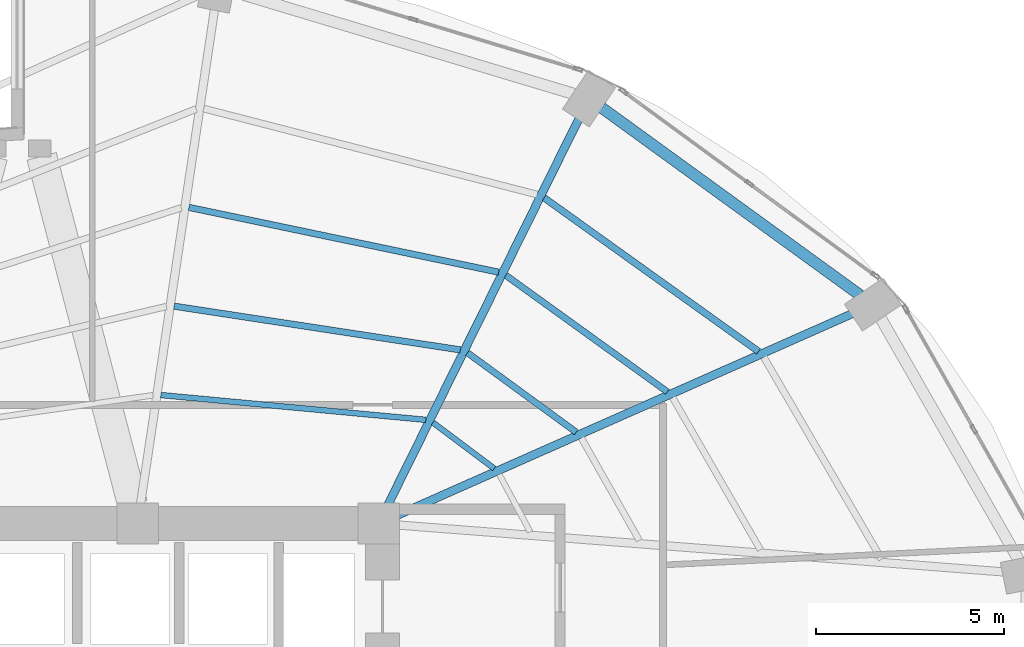
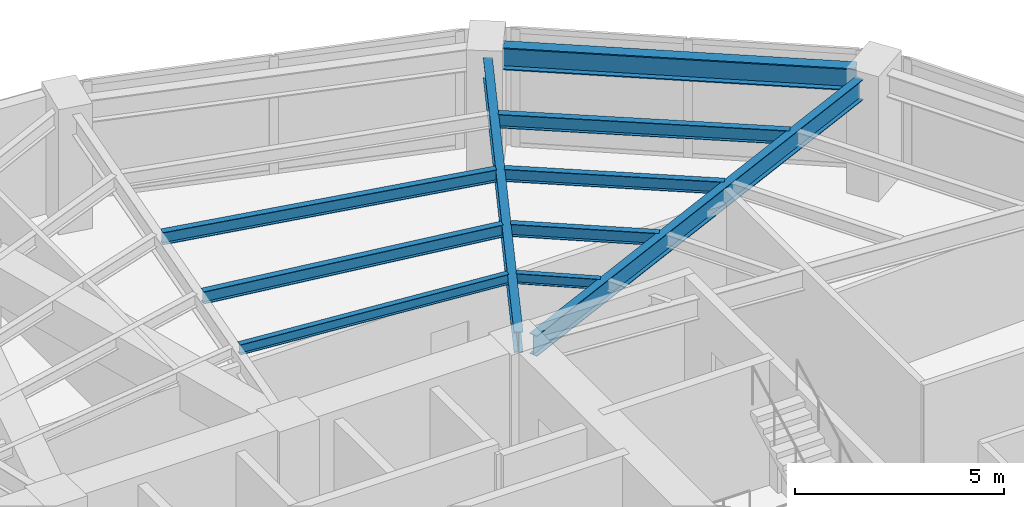
# One storey, part 16 of 24: 10 beams.
"""IFC4 building model written with IfcOpenShell, lengths in metres."""

from ifc_helpers import new_model, si_unit, direction, frame, origin, origin_2d, place, context, subcontext, project, spatial, i_section, extrude, material, material_profile, profile_set, type_object, element, save


model = new_model("IFC4")

# Units and contexts
model_context = context("Model", 3, precision=1e-05, world=origin(), true_north=direction((0.0, 1.0)))
body_context = subcontext(model_context, "Body", "Model", "MODEL_VIEW")
ifc_project = project(units=[si_unit("LENGTHUNIT", "METRE"), si_unit("AREAUNIT", "SQUARE_METRE"), si_unit("VOLUMEUNIT", "CUBIC_METRE"), si_unit("PLANEANGLEUNIT", "RADIAN"), si_unit("MASSUNIT", "GRAM", prefix="KILO")], contexts=[model_context])

# Site, building, storey
site_placement = place(None, origin())
site = spatial("IfcSite", under=ifc_project, at=site_placement, CompositionType="ELEMENT")
building_placement = place(site_placement, origin())
building = spatial("IfcBuilding", under=site, at=building_placement, Name="Lazwardi Medical Tower", CompositionType="ELEMENT")
storey_placement = place(building_placement, frame((0.0, 0.0, 58.031982421875)))
storey = spatial("IfcBuildingStorey", under=building, at=storey_placement, Name="L14", CompositionType="ELEMENT", Elevation=58.031982421875)

# Beams
ifc_material = material(Name="Steel S355", Category="steel")
ifc_material_profile_1 = material_profile(ifc_material, i_section(OverallWidth=0.300048828125, OverallDepth=0.64990234375, WebThickness=0.01611328125, FlangeThickness=0.031005859375, at=origin_2d()), Name="HEB 650")
ifc_profile_set_1 = profile_set([ifc_material_profile_1], Name="Steel S355")
beam_type_1 = type_object("IfcBeamType", Name="BM-RB-Z1", PredefinedType="BEAM", material=ifc_profile_set_1)
beam_1_placement = place(storey_placement, frame((58.3798828125, 41.660888671875, 3.10302734375), z_axis=(-0.809407079515, 0.587247971159, 0.0), x_axis=(-0.587247971159, -0.809407079515, 0.0)))
element("IfcBeam", 1, at=beam_1_placement, inside=storey, type_object=beam_type_1, Name="Ring beam RB-02 B06 L14", PredefinedType="BEAM", context=body_context, shape_type="SweptSolid", body=[
    extrude(i_section(OverallWidth=0.300048828125, OverallDepth=0.64990234375, WebThickness=0.01611328125, FlangeThickness=0.031005859375, at=origin_2d()), origin(), (0.0, 0.0, 1.0), 8.473876953125),
])
ifc_material_profile_2 = material_profile(ifc_material, i_section(OverallWidth=0.219970703125, OverallDepth=0.60009765625, WebThickness=0.011962890625, FlangeThickness=0.01904296875, at=origin_2d()), Name="IPE 600")
ifc_profile_set_2 = profile_set([ifc_material_profile_2], Name="Steel S355")
beam_type_2 = type_object("IfcBeamType", Name="BM-RG-W1", PredefinedType="BEAM", material=ifc_profile_set_2)
beam_2_placement = place(storey_placement, frame((58.189697265625, 41.17919921875, 3.1279296875), z_axis=(-0.914252189566, -0.405145571214, 0.0), x_axis=(0.405145571214, -0.914252189566, 0.0)))
element("IfcBeam", 2, at=beam_2_placement, inside=storey, type_object=beam_type_2, Name="Radial girder RG-02 R06 L14", PredefinedType="BEAM", context=body_context, shape_type="SweptSolid", body=[
    extrude(i_section(OverallWidth=0.219970703125, OverallDepth=0.60009765625, WebThickness=0.011962890625, FlangeThickness=0.01904296875, at=origin_2d()), origin(), (0.0, 0.0, 1.0), 13.235595703125),
])
beam_3_placement = place(storey_placement, frame((50.923828125, 46.364013671875, 3.1279296875), z_axis=(-0.443336723706, -0.896355146922, 0.0), x_axis=(0.896355146922, -0.443336723706, 0.0)))
element("IfcBeam", 3, at=beam_3_placement, inside=storey, type_object=beam_type_2, Name="Radial girder RG-02 R07 L14", PredefinedType="BEAM", context=body_context, shape_type="SweptSolid", body=[
    extrude(i_section(OverallWidth=0.219970703125, OverallDepth=0.60009765625, WebThickness=0.011962890625, FlangeThickness=0.01904296875, at=origin_2d()), origin(), (0.0, 0.0, 1.0), 11.4736328125),
])
ifc_material_profile_3 = material_profile(ifc_material, i_section(OverallWidth=0.179931640625, OverallDepth=0.39990234375, WebThickness=0.008544921875, FlangeThickness=0.013427734375, at=origin_2d()), Name="IPE 400")
ifc_profile_set_3 = profile_set([ifc_material_profile_3], Name="Steel S355")
beam_type_3 = type_object("IfcBeamType", Name="BM-SJ-01", PredefinedType="JOIST", material=ifc_profile_set_3)
beam_4_placement = place(storey_placement, frame((55.68408203125, 40.16796875, 3.22802734375), z_axis=(-0.812901036873, 0.582401840872, 0.0), x_axis=(-0.582401840872, -0.812901036873, 0.0)))
element("IfcBeam", 4, at=beam_4_placement, inside=storey, type_object=beam_type_3, Name="Secondary joist SJ-01 R1 B06 L14", PredefinedType="JOIST", context=body_context, shape_type="SweptSolid", body=[
    extrude(i_section(OverallWidth=0.179931640625, OverallDepth=0.39990234375, WebThickness=0.008544921875, FlangeThickness=0.013427734375, at=origin_2d()), origin(), (0.0, 0.0, 1.0), 7.002197265625),
])
ifc_material_profile_4 = material_profile(ifc_material, i_section(OverallWidth=0.169921875, OverallDepth=0.360107421875, WebThickness=0.008056640625, FlangeThickness=0.0126953125, at=origin_2d()), Name="IPE 360")
ifc_profile_set_4 = profile_set([ifc_material_profile_4], Name="Steel S355")
beam_type_4 = type_object("IfcBeamType", Name="BM-SJ-02", PredefinedType="JOIST", material=ifc_profile_set_4)
beam_5_placement = place(storey_placement, frame((53.26416015625, 39.095703125, 3.248046875), z_axis=(-0.811142764961, 0.584848198127, 0.0), x_axis=(-0.584848198127, -0.811142764961, 0.0)))
element("IfcBeam", 5, at=beam_5_placement, inside=storey, type_object=beam_type_4, Name="Secondary joist SJ-02 R2 B06 L14", PredefinedType="JOIST", context=body_context, shape_type="SweptSolid", body=[
    extrude(i_section(OverallWidth=0.169921875, OverallDepth=0.360107421875, WebThickness=0.008056640625, FlangeThickness=0.0126953125, at=origin_2d()), origin(), (0.0, 0.0, 1.0), 5.28857421875),
])
beam_6_placement = place(storey_placement, frame((48.786376953125, 42.271728515625, 3.248046875), z_axis=(-0.978809182847, 0.204774470026, 0.0), x_axis=(-0.204774470026, -0.978809182847, 0.0)))
element("IfcBeam", 6, at=beam_6_placement, inside=storey, type_object=beam_type_4, Name="Secondary joist SJ-02 R2 B07 L14", PredefinedType="JOIST", context=body_context, shape_type="SweptSolid", body=[
    extrude(i_section(OverallWidth=0.169921875, OverallDepth=0.360107421875, WebThickness=0.008056640625, FlangeThickness=0.0126953125, at=origin_2d()), origin(), (0.0, 0.0, 1.0), 8.40283203125),
])
beam_7_placement = place(storey_placement, frame((50.844482421875, 38.023681640625, 3.248046875), z_axis=(-0.80770129933, 0.589591902132, 0.0), x_axis=(-0.589591902132, -0.80770129933, 0.0)))
element("IfcBeam", 7, at=beam_7_placement, inside=storey, type_object=beam_type_4, Name="Secondary joist SJ-02 R3 B06 L14", PredefinedType="JOIST", context=body_context, shape_type="SweptSolid", body=[
    extrude(i_section(OverallWidth=0.169921875, OverallDepth=0.360107421875, WebThickness=0.008056640625, FlangeThickness=0.0126953125, at=origin_2d()), origin(), (0.0, 0.0, 1.0), 3.5751953125),
])
beam_8_placement = place(storey_placement, frame((47.76806640625, 40.209228515625, 3.248046875), z_axis=(-0.988535611365, 0.150987897074, 0.0), x_axis=(-0.150987897074, -0.988535611365, 0.0)))
element("IfcBeam", 8, at=beam_8_placement, inside=storey, type_object=beam_type_4, Name="Secondary joist SJ-02 R3 B07 L14", PredefinedType="JOIST", context=body_context, shape_type="SweptSolid", body=[
    extrude(i_section(OverallWidth=0.169921875, OverallDepth=0.360107421875, WebThickness=0.008056640625, FlangeThickness=0.0126953125, at=origin_2d()), origin(), (0.0, 0.0, 1.0), 7.68701171875),
])
ifc_material_profile_5 = material_profile(ifc_material, i_section(OverallWidth=0.14990234375, OverallDepth=0.300048828125, WebThickness=0.007080078125, FlangeThickness=0.0107421875, at=origin_2d()), Name="IPE 300")
ifc_profile_set_5 = profile_set([ifc_material_profile_5], Name="Steel S355")
beam_type_5 = type_object("IfcBeamType", Name="BM-SJ-03", PredefinedType="JOIST", material=ifc_profile_set_5)
beam_9_placement = place(storey_placement, frame((48.667236328125, 37.0595703125, 3.278076171875), z_axis=(-0.800115247939, 0.599846305328, 0.0), x_axis=(-0.599846305328, -0.800115247939, 0.0)))
element("IfcBeam", 9, at=beam_9_placement, inside=storey, type_object=beam_type_5, Name="Secondary joist SJ-03 R4 B06 L14", PredefinedType="JOIST", context=body_context, shape_type="SweptSolid", body=[
    extrude(i_section(OverallWidth=0.14990234375, OverallDepth=0.300048828125, WebThickness=0.007080078125, FlangeThickness=0.0107421875, at=origin_2d()), origin(), (0.0, 0.0, 1.0), 2.033447265625),
])
beam_10_placement = place(storey_placement, frame((46.851806640625, 38.35205078125, 3.278076171875), z_axis=(-0.995649263748, 0.093180167407, 0.0), x_axis=(-0.093180167407, -0.995649263748, 0.0)))
element("IfcBeam", 10, at=beam_10_placement, inside=storey, type_object=beam_type_5, Name="Secondary joist SJ-03 R4 B07 L14", PredefinedType="JOIST", context=body_context, shape_type="SweptSolid", body=[
    extrude(i_section(OverallWidth=0.14990234375, OverallDepth=0.300048828125, WebThickness=0.007080078125, FlangeThickness=0.0107421875, at=origin_2d()), origin(), (0.0, 0.0, 1.0), 7.06640625),
])

save(model, "model.ifc")
